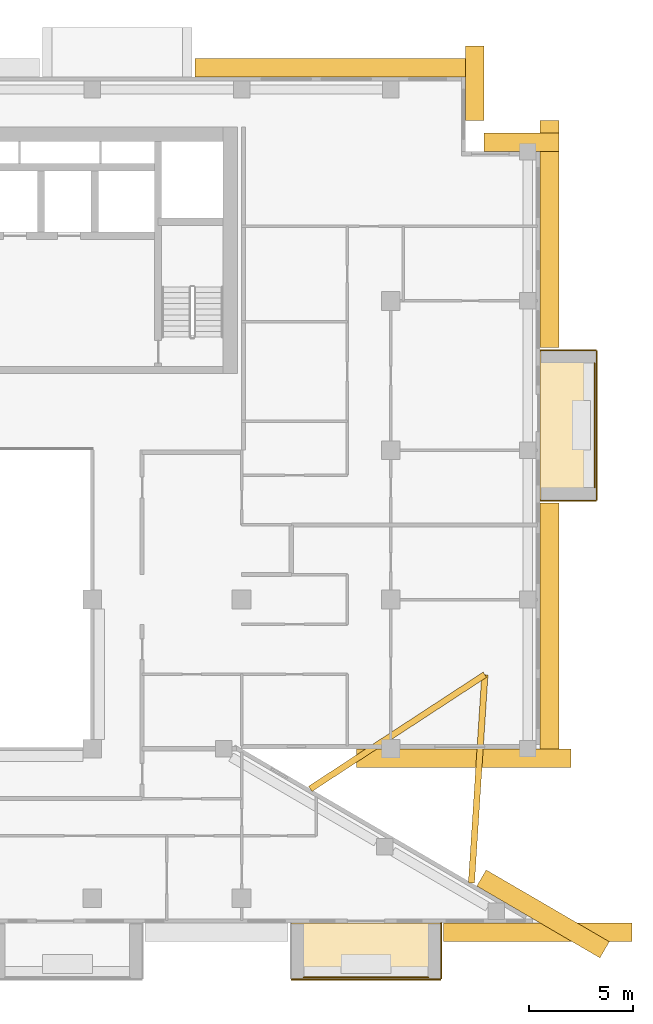
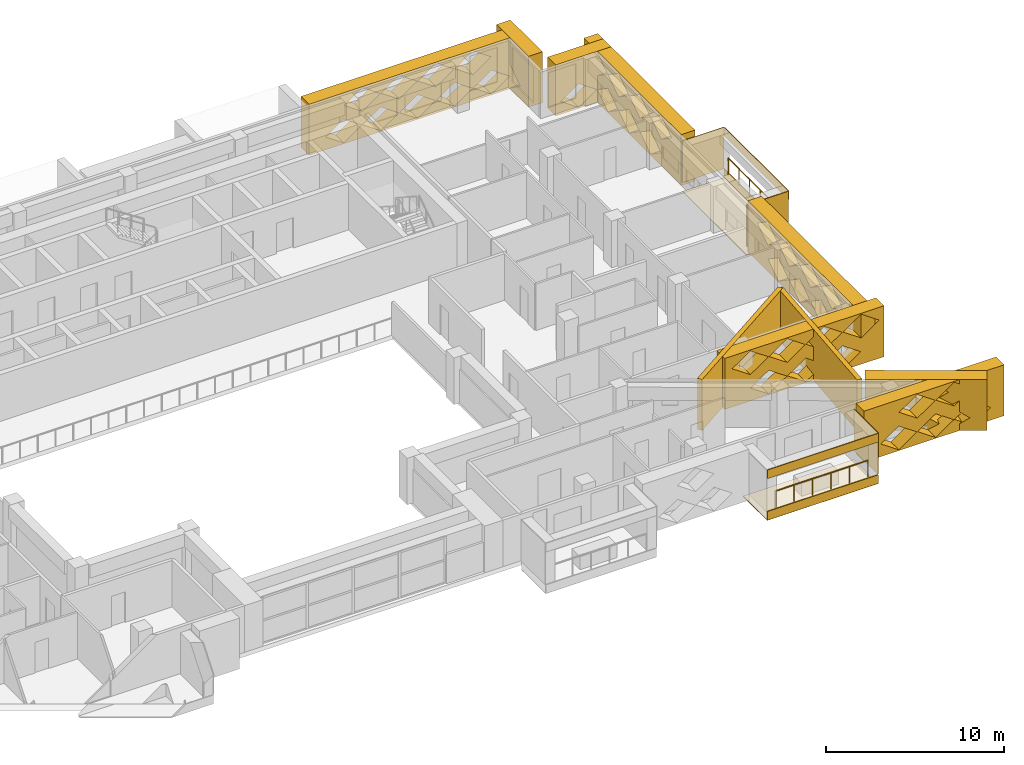
# One storey, part 20 of 20: 19 coverings, 2 railings.
"""IFC4 building model written with IfcOpenShell, lengths in metres."""

from ifc_helpers import new_model, si_unit, direction, frame, origin, origin_2d, place, context, subcontext, project, spatial, polyline, circle, outline, extrude, material, layer, layer_set, type_object, element, save


model = new_model("IFC4")

# Units and contexts
model_context = context("Model", 3, precision=1e-05, world=origin(), true_north=direction((0.0, 1.0)))
body_context = subcontext(model_context, "Body", "Model", "MODEL_VIEW")
ifc_project = project(units=[si_unit("LENGTHUNIT", "METRE"), si_unit("AREAUNIT", "SQUARE_METRE"), si_unit("VOLUMEUNIT", "CUBIC_METRE"), si_unit("PLANEANGLEUNIT", "RADIAN"), si_unit("MASSUNIT", "GRAM", prefix="KILO")], contexts=[model_context])

# Site, building, storey
site_placement = place(None, origin())
site = spatial("IfcSite", under=ifc_project, at=site_placement, CompositionType="ELEMENT")
building_placement = place(site_placement, origin())
building = spatial("IfcBuilding", under=site, at=building_placement, Name="Saffron Iwan Residences", CompositionType="ELEMENT")
storey_placement = place(building_placement, frame((0.0, 0.0, 174.5)))
storey = spatial("IfcBuildingStorey", under=building, at=storey_placement, Name="L46", CompositionType="ELEMENT", Elevation=174.5)

# Railings
ifc_material_1 = material(Name="Stainless steel 316", Category="steel")
railing_type = type_object("IfcRailingType", Name="BALCONY GUARD 1150", PredefinedType="GUARDRAIL", material=ifc_material_1)
railing_1_placement = place(storey_placement, frame((89.02490234375, 60.60009765625, 0.0)))
element("IfcRailing", 1, at=railing_1_placement, inside=storey, type_object=railing_type, Name="Balcony guard L46 F2-0", PredefinedType="GUARDRAIL", context=body_context, shape_type="SweptSolid", body=[
    extrude(circle(Radius=0.02392578125, at=origin_2d()), frame((0.0, 0.0, 1.1259765625), z_axis=(0.0, 1.0, 0.0), x_axis=(-1.0, 0.0, 0.0)), (0.0, 0.0, 1.0), 6.0),
    extrude(circle(Radius=0.02099609375, at=origin_2d()), origin(), (0.0, 0.0, 1.0), 1.101806640625),
    extrude(circle(Radius=0.02099609375, at=origin_2d()), frame((0.0, 1.199951171875, 0.0)), (0.0, 0.0, 1.0), 1.101806640625),
    extrude(circle(Radius=0.02099609375, at=origin_2d()), frame((0.0, 2.39990234375, 0.0)), (0.0, 0.0, 1.0), 1.101806640625),
    extrude(circle(Radius=0.02099609375, at=origin_2d()), frame((0.0, 3.60009765625, 0.0)), (0.0, 0.0, 1.0), 1.101806640625),
    extrude(circle(Radius=0.02099609375, at=origin_2d()), frame((0.0, 4.800048828125, 0.0)), (0.0, 0.0, 1.0), 1.101806640625),
    extrude(circle(Radius=0.02099609375, at=origin_2d()), frame((0.0, 6.0, 0.0)), (0.0, 0.0, 1.0), 1.101806640625),
])
railing_2_placement = place(storey_placement, frame((75.0, 36.97509765625, 0.0)))
element("IfcRailing", 2, at=railing_2_placement, inside=storey, type_object=railing_type, Name="Balcony guard L46 11-2", PredefinedType="GUARDRAIL", context=body_context, shape_type="SweptSolid", body=[
    extrude(circle(Radius=0.02392578125, at=origin_2d()), frame((0.0, 0.0, 1.1259765625), z_axis=(1.0, 0.0, 0.0), x_axis=(0.0, 1.0, 0.0)), (0.0, 0.0, 1.0), 6.0),
    extrude(circle(Radius=0.02099609375, at=origin_2d()), origin(), (0.0, 0.0, 1.0), 1.101806640625),
    extrude(circle(Radius=0.02099609375, at=origin_2d()), frame((1.199951171875, 0.0, 0.0)), (0.0, 0.0, 1.0), 1.101806640625),
    extrude(circle(Radius=0.02099609375, at=origin_2d()), frame((2.39990234375, 0.0, 0.0)), (0.0, 0.0, 1.0), 1.101806640625),
    extrude(circle(Radius=0.02099609375, at=origin_2d()), frame((3.60009765625, 0.0, 0.0)), (0.0, 0.0, 1.0), 1.101806640625),
    extrude(circle(Radius=0.02099609375, at=origin_2d()), frame((4.800048828125, 0.0, 0.0)), (0.0, 0.0, 1.0), 1.101806640625),
    extrude(circle(Radius=0.02099609375, at=origin_2d()), frame((6.0, 0.0, 0.0)), (0.0, 0.0, 1.0), 1.101806640625),
])

# Coverings
ifc_material_2 = material(Name="Precast concrete C40/50 white painted", Category="concrete")
ifc_layer_1 = layer(ifc_material_2, 0.050048828125)
ifc_layer_set_1 = layer_set([ifc_layer_1], Name="Precast concrete C40/50 white painted")
covering_type_1 = type_object("IfcCoveringType", Name="FRAME SKIN PRECAST WHITE 50", PredefinedType="CLADDING", material=ifc_layer_set_1)
for number, where, name in (
    (3, (0.0, 0.0, -0.60009765625), "Frame skin slab edge L46 F2-0"),
    (4, (0.0, 0.0, 2.25), "Frame skin fascia L46 F2-0"),
):
    element("IfcCovering", number, at=place(storey_placement, frame(where)), inside=storey, type_object=covering_type_1, Name=name, PredefinedType="CLADDING", context=body_context, shape_type="SweptSolid", body=[
        extrude(outline(polyline([(89.14990234375, 60.0), (89.14990234375, 67.199951171875), (89.10009765625, 67.199951171875), (89.10009765625, 60.0), (89.14990234375, 60.0)])), origin(), (0.0, 0.0, 1.0), 0.60009765625),
    ])
covering_1_placement = place(storey_placement, frame((0.0, 0.0, -0.64990234375)))
element("IfcCovering", 5, at=covering_1_placement, inside=storey, type_object=covering_type_1, Name="Frame skin soffit L46 F2-0", PredefinedType="CLADDING", context=body_context, shape_type="SweptSolid", body=[
    extrude(outline(polyline([(89.10009765625, 60.0), (89.10009765625, 67.199951171875), (86.39990234375, 67.199951171875), (86.39990234375, 60.0), (89.10009765625, 60.0)])), origin(), (0.0, 0.0, 1.0), 0.0498046875),
])
covering_2_placement = place(storey_placement, origin())
element("IfcCovering", 6, at=covering_2_placement, inside=storey, type_object=covering_type_1, Name="Frame skin fin L46 F2-0a", PredefinedType="CLADDING", context=body_context, shape_type="SweptSolid", body=[
    extrude(outline(polyline([(89.10009765625, 59.949951171875), (89.10009765625, 60.0), (86.39990234375, 60.0), (86.39990234375, 59.949951171875), (89.10009765625, 59.949951171875)])), origin(), (0.0, 0.0, 1.0), 2.85009765625),
])
covering_3_placement = place(storey_placement, origin())
element("IfcCovering", 7, at=covering_3_placement, inside=storey, type_object=covering_type_1, Name="Frame skin fin L46 F2-0b", PredefinedType="CLADDING", context=body_context, shape_type="SweptSolid", body=[
    extrude(outline(polyline([(89.10009765625, 67.199951171875), (89.10009765625, 67.25), (86.39990234375, 67.25), (86.39990234375, 67.199951171875), (89.10009765625, 67.199951171875)])), origin(), (0.0, 0.0, 1.0), 2.85009765625),
])
for number, where, name in (
    (8, (0.0, 0.0, -0.60009765625), "Frame skin slab edge L46 11-2"),
    (9, (0.0, 0.0, 2.25), "Frame skin fascia L46 11-2"),
):
    element("IfcCovering", number, at=place(storey_placement, frame(where)), inside=storey, type_object=covering_type_1, Name=name, PredefinedType="CLADDING", context=body_context, shape_type="SweptSolid", body=[
        extrude(outline(polyline([(74.39990234375, 36.85009765625), (81.60009765625, 36.85009765625), (81.60009765625, 36.89990234375), (74.39990234375, 36.89990234375), (74.39990234375, 36.85009765625)])), origin(), (0.0, 0.0, 1.0), 0.60009765625),
    ])
covering_4_placement = place(storey_placement, frame((0.0, 0.0, -0.64990234375)))
element("IfcCovering", 10, at=covering_4_placement, inside=storey, type_object=covering_type_1, Name="Frame skin soffit L46 11-2", PredefinedType="CLADDING", context=body_context, shape_type="SweptSolid", body=[
    extrude(outline(polyline([(74.39990234375, 36.89990234375), (81.60009765625, 36.89990234375), (81.60009765625, 39.60009765625), (74.39990234375, 39.60009765625), (74.39990234375, 36.89990234375)])), origin(), (0.0, 0.0, 1.0), 0.0498046875),
])
covering_5_placement = place(storey_placement, origin())
element("IfcCovering", 11, at=covering_5_placement, inside=storey, type_object=covering_type_1, Name="Frame skin fin L46 11-2b", PredefinedType="CLADDING", context=body_context, shape_type="SweptSolid", body=[
    extrude(outline(polyline([(81.60009765625, 36.89990234375), (81.64990234375, 36.89990234375), (81.64990234375, 39.60009765625), (81.60009765625, 39.60009765625), (81.60009765625, 36.89990234375)])), origin(), (0.0, 0.0, 1.0), 2.85009765625),
])
ifc_material_3 = material(Name="Precast concrete C40/50", Category="concrete")
covering_type_2 = type_object("IfcCoveringType", Name="OUTER SKIN LATTICE SCREEN", PredefinedType="CLADDING", material=ifc_material_3)
covering_6_placement = place(storey_placement, frame((89.283935546875, 37.917724609375, -0.300048828125), z_axis=(0.503803550485, 0.863818257806, 0.0), x_axis=(-0.863818257806, 0.503803550485, 0.0)))
element("IfcCovering", 12, at=covering_6_placement, inside=storey, type_object=covering_type_2, Name="OUTER SKIN lattice screen L46 F0.0", PredefinedType="CLADDING", context=body_context, shape_type="SweptSolid", body=[
    extrude(outline(polyline([(0.0, 0.0), (6.874267578125, 0.0), (6.874267578125, 3.5), (0.0, 3.5), (0.0, 0.0)]), holes=[polyline([(0.958740234375, 0.875), (2.138671875, 0.06005859375), (3.318603515625, 0.875), (2.138671875, 1.68994140625), (0.958740234375, 0.875)]), polyline([(3.358642578125, 0.875), (4.538818359375, 0.06005859375), (5.71875, 0.875), (4.538818359375, 1.68994140625), (3.358642578125, 0.875)]), polyline([(2.15869140625, 2.625), (3.338623046875, 1.81005859375), (4.518798828125, 2.625), (3.338623046875, 3.43994140625), (2.15869140625, 2.625)])]), origin(), (0.0, 0.0, 1.0), 0.89990234375),
])
covering_7_placement = place(storey_placement, frame((77.538818359375, 48.0, -0.300048828125), z_axis=(0.0, -1.0, 0.0), x_axis=(1.0, 0.0, 0.0)))
element("IfcCovering", 13, at=covering_7_placement, inside=storey, type_object=covering_type_2, Name="OUTER SKIN lattice screen L46 F1.0", PredefinedType="CLADDING", context=body_context, shape_type="SweptSolid", body=[
    extrude(outline(polyline([(0.0, 0.0), (10.361328125, 0.0), (10.361328125, 3.5), (0.0, 3.5), (0.0, 0.0)]), holes=[polyline([(1.681396484375, 0.875), (2.861328125, 0.06005859375), (4.041259765625, 0.875), (2.861328125, 1.68994140625), (1.681396484375, 0.875)]), polyline([(4.081298828125, 0.875), (5.26123046875, 0.06005859375), (6.44140625, 0.875), (5.26123046875, 1.68994140625), (4.081298828125, 0.875)]), polyline([(6.481201171875, 0.875), (7.661376953125, 0.06005859375), (8.84130859375, 0.875), (7.661376953125, 1.68994140625), (6.481201171875, 0.875)]), polyline([(0.481201171875, 2.625), (1.661376953125, 1.81005859375), (2.84130859375, 2.625), (1.661376953125, 3.43994140625), (0.481201171875, 2.625)]), polyline([(2.88134765625, 2.625), (4.061279296875, 1.81005859375), (5.2412109375, 2.625), (4.061279296875, 3.43994140625), (2.88134765625, 2.625)]), polyline([(5.28125, 2.625), (6.461181640625, 1.81005859375), (7.641357421875, 2.625), (6.461181640625, 3.43994140625), (5.28125, 2.625)]), polyline([(7.681396484375, 2.625), (8.861328125, 1.81005859375), (10.041259765625, 2.625), (8.861328125, 3.43994140625), (7.681396484375, 2.625)])]), origin(), (0.0, 0.0, 1.0), 0.89990234375),
])
covering_8_placement = place(storey_placement, frame((86.39990234375, 47.10009765625, -0.300048828125), z_axis=(1.0, 0.0, 0.0), x_axis=(0.0, 1.0, 0.0)))
element("IfcCovering", 14, at=covering_8_placement, inside=storey, type_object=covering_type_2, Name="OUTER SKIN lattice screen L46 F2.0", PredefinedType="CLADDING", context=body_context, shape_type="SweptSolid", body=[
    extrude(outline(polyline([(0.0, 0.0), (12.75, 0.0), (12.75, 3.5), (0.0, 3.5), (0.0, 0.0)]), holes=[polyline([(0.919921875, 0.875), (2.10009765625, 0.06005859375), (3.280029296875, 0.875), (2.10009765625, 1.68994140625), (0.919921875, 0.875)]), polyline([(3.320068359375, 0.875), (4.5, 0.06005859375), (5.679931640625, 0.875), (4.5, 1.68994140625), (3.320068359375, 0.875)]), polyline([(5.719970703125, 0.875), (6.89990234375, 0.06005859375), (8.080078125, 0.875), (6.89990234375, 1.68994140625), (5.719970703125, 0.875)]), polyline([(8.1201171875, 0.875), (9.300048828125, 0.06005859375), (10.47998046875, 0.875), (9.300048828125, 1.68994140625), (8.1201171875, 0.875)]), polyline([(2.1201171875, 2.625), (3.300048828125, 1.81005859375), (4.47998046875, 2.625), (3.300048828125, 3.43994140625), (2.1201171875, 2.625)]), polyline([(4.52001953125, 2.625), (5.699951171875, 1.81005859375), (6.8798828125, 2.625), (5.699951171875, 3.43994140625), (4.52001953125, 2.625)]), polyline([(6.919921875, 2.625), (8.10009765625, 1.81005859375), (9.280029296875, 2.625), (8.10009765625, 3.43994140625), (6.919921875, 2.625)]), polyline([(9.320068359375, 2.625), (10.5, 1.81005859375), (11.679931640625, 2.625), (10.5, 3.43994140625), (9.320068359375, 2.625)])]), origin(), (0.0, 0.0, 1.0), 0.900146484375),
])
covering_9_placement = place(storey_placement, frame((86.39990234375, 67.35009765625, -0.300048828125), z_axis=(1.0, 0.0, 0.0), x_axis=(0.0, 1.0, 0.0)))
element("IfcCovering", 15, at=covering_9_placement, inside=storey, type_object=covering_type_2, Name="OUTER SKIN lattice screen L46 F2.1", PredefinedType="CLADDING", context=body_context, shape_type="SweptSolid", body=[
    extrude(outline(polyline([(0.0, 0.0), (10.949951171875, 0.0), (10.949951171875, 3.5), (0.0, 3.5), (0.0, 0.0)]), holes=[polyline([(2.27001953125, 0.875), (3.449951171875, 0.06005859375), (4.6298828125, 0.875), (3.449951171875, 1.68994140625), (2.27001953125, 0.875)]), polyline([(4.669921875, 0.875), (5.85009765625, 0.06005859375), (7.030029296875, 0.875), (5.85009765625, 1.68994140625), (4.669921875, 0.875)]), polyline([(7.070068359375, 0.875), (8.25, 0.06005859375), (9.429931640625, 0.875), (8.25, 1.68994140625), (7.070068359375, 0.875)]), polyline([(1.070068359375, 2.625), (2.25, 1.81005859375), (3.429931640625, 2.625), (2.25, 3.43994140625), (1.070068359375, 2.625)]), polyline([(3.469970703125, 2.625), (4.64990234375, 1.81005859375), (5.830078125, 2.625), (4.64990234375, 3.43994140625), (3.469970703125, 2.625)]), polyline([(5.8701171875, 2.625), (7.050048828125, 1.81005859375), (8.22998046875, 2.625), (7.050048828125, 3.43994140625), (5.8701171875, 2.625)]), polyline([(8.27001953125, 2.625), (9.449951171875, 1.81005859375), (10.6298828125, 2.625), (9.449951171875, 3.43994140625), (8.27001953125, 2.625)])]), origin(), (0.0, 0.0, 1.0), 0.900146484375),
])
for number, where, z_axis, x_axis, name in (
    (16, (87.300048828125, 76.800048828125, -0.300048828125), (0.0, 1.0, 0.0), (-1.0, 0.0, 0.0), "OUTER SKIN lattice screen L46 F3.0"),
    (17, (82.800048828125, 78.300048828125, -0.300048828125), (1.0, 0.0, 0.0), (0.0, 1.0, 0.0), "OUTER SKIN lattice screen L46 F4.0"),
):
    element("IfcCovering", number, at=place(storey_placement, frame(where, z_axis=z_axis, x_axis=x_axis)), inside=storey, type_object=covering_type_2, Name=name, PredefinedType="CLADDING", context=body_context, shape_type="SweptSolid", body=[
        extrude(outline(polyline([(0.0, 0.0), (3.60009765625, 0.0), (3.60009765625, 3.5), (0.0, 3.5), (0.0, 0.0)]), holes=[polyline([(0.919921875, 0.875), (2.10009765625, 0.06005859375), (3.280029296875, 0.875), (2.10009765625, 1.68994140625), (0.919921875, 0.875)])]), origin(), (0.0, 0.0, 1.0), 0.89990234375),
    ])
covering_10_placement = place(storey_placement, frame((83.699951171875, 80.39990234375, -0.300048828125), z_axis=(0.0, 1.0, 0.0), x_axis=(-1.0, 0.0, 0.0)))
element("IfcCovering", 18, at=covering_10_placement, inside=storey, type_object=covering_type_2, Name="OUTER SKIN lattice screen L46 F5.0", PredefinedType="CLADDING", context=body_context, shape_type="SweptSolid", body=[
    extrude(outline(polyline([(0.0, 0.0), (13.949951171875, 0.0), (13.949951171875, 3.5), (0.0, 3.5), (0.0, 0.0)]), holes=[polyline([(0.919921875, 0.875), (2.10009765625, 0.06005859375), (3.280029296875, 0.875), (2.10009765625, 1.68994140625), (0.919921875, 0.875)]), polyline([(3.320068359375, 0.875), (4.5, 0.06005859375), (5.679931640625, 0.875), (4.5, 1.68994140625), (3.320068359375, 0.875)]), polyline([(5.719970703125, 0.875), (6.89990234375, 0.06005859375), (8.080078125, 0.875), (6.89990234375, 1.68994140625), (5.719970703125, 0.875)]), polyline([(8.1201171875, 0.875), (9.300048828125, 0.06005859375), (10.47998046875, 0.875), (9.300048828125, 1.68994140625), (8.1201171875, 0.875)]), polyline([(10.52001953125, 0.875), (11.699951171875, 0.06005859375), (12.8798828125, 0.875), (11.699951171875, 1.68994140625), (10.52001953125, 0.875)]), polyline([(2.1201171875, 2.625), (3.300048828125, 1.81005859375), (4.47998046875, 2.625), (3.300048828125, 3.43994140625), (2.1201171875, 2.625)]), polyline([(4.52001953125, 2.625), (5.699951171875, 1.81005859375), (6.8798828125, 2.625), (5.699951171875, 3.43994140625), (4.52001953125, 2.625)]), polyline([(6.919921875, 2.625), (8.10009765625, 1.81005859375), (9.280029296875, 2.625), (8.10009765625, 3.43994140625), (6.919921875, 2.625)]), polyline([(9.320068359375, 2.625), (10.5, 1.81005859375), (11.679931640625, 2.625), (10.5, 3.43994140625), (9.320068359375, 2.625)])]), origin(), (0.0, 0.0, 1.0), 0.900146484375),
])
covering_11_placement = place(storey_placement, frame((81.75, 39.60009765625, -0.300048828125), z_axis=(0.0, -1.0, 0.0), x_axis=(1.0, 0.0, 0.0)))
element("IfcCovering", 19, at=covering_11_placement, inside=storey, type_object=covering_type_2, Name="OUTER SKIN lattice screen L46 F11.3", PredefinedType="CLADDING", context=body_context, shape_type="SweptSolid", body=[
    extrude(outline(polyline([(0.0, 0.0), (9.088623046875, 0.0), (9.088623046875, 3.5), (0.0, 3.5), (0.0, 0.0)]), holes=[polyline([(1.070068359375, 0.875), (2.25, 0.06005859375), (3.429931640625, 0.875), (2.25, 1.68994140625), (1.070068359375, 0.875)]), polyline([(3.469970703125, 0.875), (4.64990234375, 0.06005859375), (5.830078125, 0.875), (4.64990234375, 1.68994140625), (3.469970703125, 0.875)]), polyline([(5.8701171875, 0.875), (7.050048828125, 0.06005859375), (8.22998046875, 0.875), (7.050048828125, 1.68994140625), (5.8701171875, 0.875)]), polyline([(2.27001953125, 2.625), (3.449951171875, 1.81005859375), (4.6298828125, 2.625), (3.449951171875, 3.43994140625), (2.27001953125, 2.625)]), polyline([(4.669921875, 2.625), (5.85009765625, 1.81005859375), (7.030029296875, 2.625), (5.85009765625, 3.43994140625), (4.669921875, 2.625)])]), origin(), (0.0, 0.0, 1.0), 0.900146484375),
])
ifc_layer_2 = layer(ifc_material_2, 0.300048828125)
ifc_layer_set_2 = layer_set([ifc_layer_2], Name="Precast concrete C40/50 white painted")
covering_type_3 = type_object("IfcCoveringType", Name="PROW NOSE BLADE PRECAST WHITE", PredefinedType="CLADDING", material=ifc_layer_set_2)
covering_12_placement = place(storey_placement, frame((0.0, 0.0, -0.300048828125)))
element("IfcCovering", 20, at=covering_12_placement, inside=storey, type_object=covering_type_3, Name="Prow nose blade L46 a", PredefinedType="CLADDING", context=body_context, shape_type="SweptSolid", body=[
    extrude(outline(polyline([(83.23681640625, 41.52294921875), (83.884521484375, 51.564453125), (83.585205078125, 51.583740234375), (82.937255859375, 41.542236328125), (83.23681640625, 41.52294921875)])), origin(), (0.0, 0.0, 1.0), 3.5),
])
covering_13_placement = place(storey_placement, frame((0.0, 0.0, -0.300048828125)))
element("IfcCovering", 21, at=covering_13_placement, inside=storey, type_object=covering_type_3, Name="Prow nose blade L46 b", PredefinedType="CLADDING", context=body_context, shape_type="SweptSolid", body=[
    extrude(outline(polyline([(75.39501953125, 45.94189453125), (83.81689453125, 51.448486328125), (83.65283203125, 51.69970703125), (75.23095703125, 46.193115234375), (75.39501953125, 45.94189453125)])), origin(), (0.0, 0.0, 1.0), 3.5),
])

save(model, "model.ifc")
